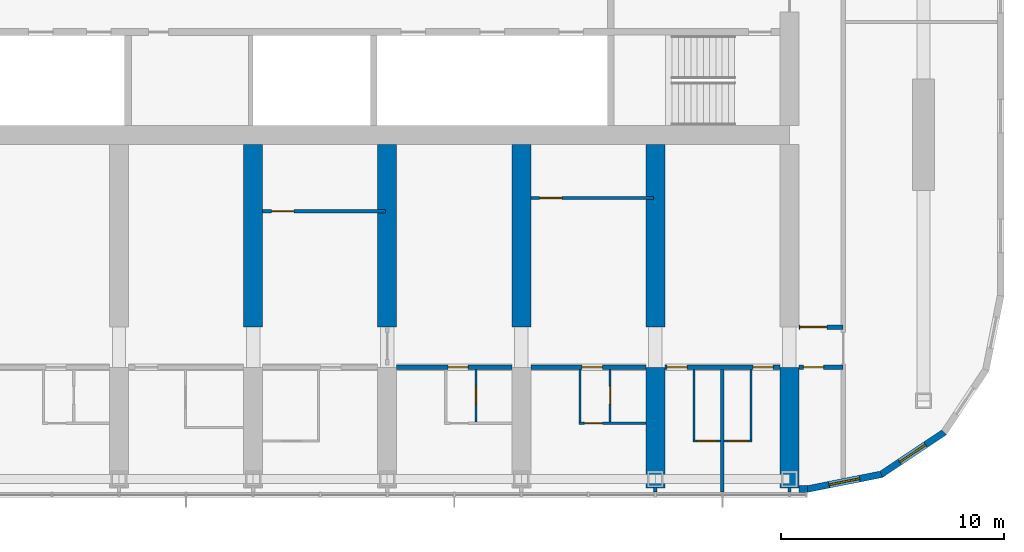
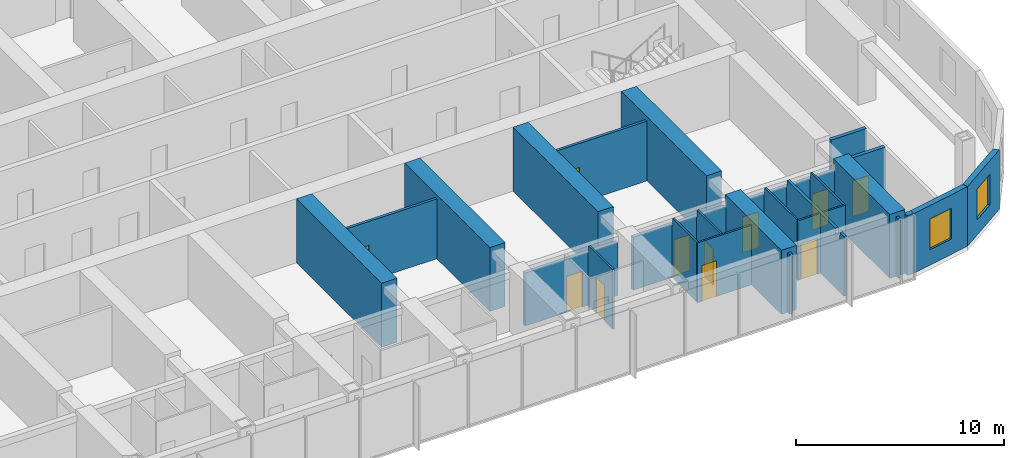
# One storey, part 12 of 22: 27 walls, 13 doors, 2 windows, 15 openings.
"""IFC4 building model written with IfcOpenShell, lengths in metres."""

from ifc_helpers import new_model, si_unit, direction, frame, frame_2d, origin, place, context, subcontext, project, spatial, polyline, rectangle, outline, extrude, material, layer, layer_set, type_object, element, fill, save


model = new_model("IFC4")

# Units and contexts
model_context = context("Model", 3, precision=1e-05, world=origin(), true_north=direction((0.0, 1.0)))
body_context = subcontext(model_context, "Body", "Model", "MODEL_VIEW")
ifc_project = project(units=[si_unit("LENGTHUNIT", "METRE"), si_unit("AREAUNIT", "SQUARE_METRE"), si_unit("VOLUMEUNIT", "CUBIC_METRE"), si_unit("PLANEANGLEUNIT", "RADIAN"), si_unit("MASSUNIT", "GRAM", prefix="KILO")], contexts=[model_context])

# Site, building, storey
site_placement = place(None, origin())
site = spatial("IfcSite", under=ifc_project, at=site_placement, CompositionType="ELEMENT")
building_placement = place(site_placement, origin())
building = spatial("IfcBuilding", under=site, at=building_placement, Name="Orbita Commons", CompositionType="ELEMENT")
storey_placement = place(building_placement, frame((0.0, 0.0, 182.35009765625)))
storey = spatial("IfcBuildingStorey", under=building, at=storey_placement, Name="L45", CompositionType="ELEMENT", Elevation=182.35009765625)

# Wall, opening, door
ifc_material_1 = material(Name="Concrete blockwork", Category="masonry")
ifc_layer_1 = layer(ifc_material_1, 0.199951171875)
ifc_layer_set_1 = layer_set([ifc_layer_1], Name="Concrete blockwork")
wall_type_1 = type_object("IfcWallType", Name="Corridor wall 200 blockwork", PredefinedType="SOLIDWALL", material=ifc_layer_set_1)
wall_1_placement = place(storey_placement, frame((48.425048828125, 15.39990234375, 0.0), z_axis=(0.0, 0.0, 1.0), x_axis=(1.0, 0.0, 0.0)))
wall_1 = element("IfcWall", 1, at=wall_1_placement, inside=storey, type_object=wall_type_1, Name="Corridor wall 200 blockwork L45", PredefinedType="SOLIDWALL", context=body_context, shape_type="SweptSolid", body=[
    extrude(outline(polyline([(0.0, 0.0), (5.14990234375, 0.0), (5.14990234375, 3.099853515625), (0.0, 3.099853515625), (0.0, 0.0)])), frame((0.0, 0.10009765625, 0.0), z_axis=(0.0, -1.0, 0.0), x_axis=(1.0, 0.0, 0.0)), (0.0, 0.0, 1.0), 0.199951171875),
])
opening_1_placement = place(wall_1_placement, frame((2.300048828125, 0.0, 0.0)))
opening_1 = element("IfcOpeningElement", 2, at=opening_1_placement, cuts=wall_1, Name="Opening D11", PredefinedType="OPENING", context=body_context, shape_type="SweptSolid", body=[
    extrude(rectangle(XDim=0.89990234375, YDim=2.10009765625, at=frame_2d((0.449951171875, 1.050048828125))), frame((0.0, 0.10986328125, 0.0), z_axis=(0.0, -1.0, 0.0), x_axis=(1.0, 0.0, 0.0)), (0.0, 0.0, 1.0), 0.219970703125),
])
ifc_material_2 = material(Name="Steel-faced fire door leaf", Category="steel")
door_type_1 = type_object("IfcDoorType", Name="Corridor door 20 min 900x2100", OperationType="SINGLE_SWING_LEFT", PredefinedType="DOOR", material=ifc_material_2)
door_1_placement = place(opening_1_placement, origin())
door_1 = element("IfcDoor", 3, at=door_1_placement, inside=storey, type_object=door_type_1, Name="Studio flat L45-S10 entrance door", OperationType="SINGLE_SWING_LEFT", OverallHeight=2.10009765625, OverallWidth=0.89990234375, PredefinedType="DOOR", context=body_context, shape_type="SweptSolid", body=[
    extrude(rectangle(XDim=0.89990234375, YDim=2.10009765625, at=frame_2d((0.449951171875, 1.050048828125))), frame((0.0, 0.02490234375, 0.0), z_axis=(0.0, -1.0, 0.0), x_axis=(1.0, 0.0, 0.0)), (0.0, 0.0, 1.0), 0.050048828125),
])
fill(opening_1, door_1)

wall_2_placement = place(storey_placement, frame((54.425048828125, 15.39990234375, 0.0), z_axis=(0.0, 0.0, 1.0), x_axis=(1.0, 0.0, 0.0)))
wall_2 = element("IfcWall", 4, at=wall_2_placement, inside=storey, type_object=wall_type_1, Name="Corridor wall 200 blockwork L45", PredefinedType="SOLIDWALL", context=body_context, shape_type="SweptSolid", body=[
    extrude(outline(polyline([(0.0, 0.0), (5.14990234375, 0.0), (5.14990234375, 3.099853515625), (0.0, 3.099853515625), (0.0, 0.0)])), frame((0.0, 0.10009765625, 0.0), z_axis=(0.0, -1.0, 0.0), x_axis=(1.0, 0.0, 0.0)), (0.0, 0.0, 1.0), 0.199951171875),
])
opening_2_placement = place(wall_2_placement, frame((2.300048828125, 0.0, 0.0)))
opening_2 = element("IfcOpeningElement", 5, at=opening_2_placement, cuts=wall_2, Name="Opening D11", PredefinedType="OPENING", context=body_context, shape_type="SweptSolid", body=[
    extrude(rectangle(XDim=0.89990234375, YDim=2.10009765625, at=frame_2d((0.449951171875, 1.050048828125))), frame((0.0, 0.10986328125, 0.0), z_axis=(0.0, -1.0, 0.0), x_axis=(1.0, 0.0, 0.0)), (0.0, 0.0, 1.0), 0.219970703125),
])
door_2_placement = place(opening_2_placement, origin())
door_2 = element("IfcDoor", 6, at=door_2_placement, inside=storey, type_object=door_type_1, Name="Studio flat L45-S12 entrance door", OperationType="SINGLE_SWING_LEFT", OverallHeight=2.10009765625, OverallWidth=0.89990234375, PredefinedType="DOOR", context=body_context, shape_type="SweptSolid", body=[
    extrude(rectangle(XDim=0.89990234375, YDim=2.10009765625, at=frame_2d((0.449951171875, 1.050048828125))), frame((0.0, 0.02490234375, 0.0), z_axis=(0.0, -1.0, 0.0), x_axis=(1.0, 0.0, 0.0)), (0.0, 0.0, 1.0), 0.050048828125),
])
fill(opening_2, door_2)

# Wall, openings, doors
wall_3_placement = place(storey_placement, frame((60.425048828125, 15.39990234375, 0.0), z_axis=(0.0, 0.0, 1.0), x_axis=(1.0, 0.0, 0.0)))
wall_3 = element("IfcWall", 7, at=wall_3_placement, inside=storey, type_object=wall_type_1, Name="Corridor wall 200 blockwork L45", PredefinedType="SOLIDWALL", context=body_context, shape_type="SweptSolid", body=[
    extrude(outline(polyline([(0.0, 0.0), (5.14990234375, 0.0), (5.14990234375, 3.099853515625), (0.0, 3.099853515625), (0.0, 0.0)])), frame((0.0, 0.10009765625, 0.0), z_axis=(0.0, -1.0, 0.0), x_axis=(1.0, 0.0, 0.0)), (0.0, 0.0, 1.0), 0.199951171875),
])
opening_3_placement = place(wall_3_placement, frame((0.10009765625, 0.0, 0.0)))
opening_3 = element("IfcOpeningElement", 8, at=opening_3_placement, cuts=wall_3, Name="Opening D11", PredefinedType="OPENING", context=body_context, shape_type="SweptSolid", body=[
    extrude(rectangle(XDim=0.89990234375, YDim=2.10009765625, at=frame_2d((0.449951171875, 1.050048828125))), frame((0.0, 0.10986328125, 0.0), z_axis=(0.0, -1.0, 0.0), x_axis=(1.0, 0.0, 0.0)), (0.0, 0.0, 1.0), 0.219970703125),
])
opening_4_placement = place(wall_3_placement, frame((3.949951171875, 0.0, 0.0)))
opening_4 = element("IfcOpeningElement", 9, at=opening_4_placement, cuts=wall_3, Name="Opening D11", PredefinedType="OPENING", context=body_context, shape_type="SweptSolid", body=[
    extrude(rectangle(XDim=0.89990234375, YDim=2.10009765625, at=frame_2d((0.449951171875, 1.050048828125))), frame((0.0, 0.10986328125, 0.0), z_axis=(0.0, -1.0, 0.0), x_axis=(1.0, 0.0, 0.0)), (0.0, 0.0, 1.0), 0.219970703125),
])
door_3_placement = place(opening_3_placement, origin())
door_3 = element("IfcDoor", 10, at=door_3_placement, inside=storey, type_object=door_type_1, Name="Cluster bedroom L45-S14 door", OperationType="SINGLE_SWING_LEFT", OverallHeight=2.10009765625, OverallWidth=0.89990234375, PredefinedType="DOOR", context=body_context, shape_type="SweptSolid", body=[
    extrude(rectangle(XDim=0.89990234375, YDim=2.10009765625, at=frame_2d((0.449951171875, 1.050048828125))), frame((0.0, 0.02490234375, 0.0), z_axis=(0.0, -1.0, 0.0), x_axis=(1.0, 0.0, 0.0)), (0.0, 0.0, 1.0), 0.050048828125),
])
fill(opening_3, door_3)
door_4_placement = place(opening_4_placement, origin())
door_4 = element("IfcDoor", 11, at=door_4_placement, inside=storey, type_object=door_type_1, Name="Cluster bedroom L45-S15 door", OperationType="SINGLE_SWING_LEFT", OverallHeight=2.10009765625, OverallWidth=0.89990234375, PredefinedType="DOOR", context=body_context, shape_type="SweptSolid", body=[
    extrude(rectangle(XDim=0.89990234375, YDim=2.10009765625, at=frame_2d((0.449951171875, 1.050048828125))), frame((0.0, 0.02490234375, 0.0), z_axis=(0.0, -1.0, 0.0), x_axis=(1.0, 0.0, 0.0)), (0.0, 0.0, 1.0), 0.050048828125),
])
fill(opening_4, door_4)

# Wall, opening, door
wall_4_placement = place(storey_placement, frame((66.425048828125, 15.39990234375, 0.0), z_axis=(0.0, 0.0, 1.0), x_axis=(1.0, 0.0, 0.0)))
wall_4 = element("IfcWall", 12, at=wall_4_placement, inside=storey, type_object=wall_type_1, Name="Corridor wall 200 blockwork L45", PredefinedType="SOLIDWALL", context=body_context, shape_type="SweptSolid", body=[
    extrude(rectangle(XDim=1.974853515625, YDim=0.199951171875, at=frame_2d((0.9873046875, 0.0))), origin(), (0.0, 0.0, 1.0), 3.5),
])
opening_5_placement = place(wall_4_placement, frame((0.199951171875, 0.0, 0.0)))
opening_5 = element("IfcOpeningElement", 13, at=opening_5_placement, cuts=wall_4, Name="Opening D05", PredefinedType="OPENING", context=body_context, shape_type="SweptSolid", body=[
    extrude(rectangle(XDim=0.89990234375, YDim=2.10009765625, at=frame_2d((0.449951171875, 1.050048828125))), frame((0.0, 0.10986328125, 0.0), z_axis=(0.0, -1.0, 0.0), x_axis=(1.0, 0.0, 0.0)), (0.0, 0.0, 1.0), 0.219970703125),
])
ifc_material_3 = material(Name="Steel-faced fire door leaf", Category="steel")
door_type_2 = type_object("IfcDoorType", Name="Service door 20 min 900x2100", OperationType="SINGLE_SWING_LEFT", PredefinedType="DOOR", material=ifc_material_3)
door_5_placement = place(opening_5_placement, origin())
door_5 = element("IfcDoor", 14, at=door_5_placement, inside=storey, type_object=door_type_2, Name="Linen store L45-KES door", OperationType="SINGLE_SWING_LEFT", OverallHeight=2.10009765625, OverallWidth=0.89990234375, PredefinedType="DOOR", context=body_context, shape_type="SweptSolid", body=[
    extrude(rectangle(XDim=0.89990234375, YDim=2.10009765625, at=frame_2d((0.449951171875, 1.050048828125))), frame((0.0, 0.02490234375, 0.0), z_axis=(0.0, -1.0, 0.0), x_axis=(1.0, 0.0, 0.0)), (0.0, 0.0, 1.0), 0.050048828125),
])
fill(opening_5, door_5)

ifc_material_4 = material(Name="Hollow concrete block 200", Category="concrete")
ifc_layer_2 = layer(ifc_material_4, 0.199951171875)
ifc_layer_set_2 = layer_set([ifc_layer_2], Name="Hollow concrete block 200")
wall_type_2 = type_object("IfcWallType", Name="Corridor wall 200 hollow concrete block", PredefinedType="SOLIDWALL", material=ifc_layer_set_2)
wall_5_placement = place(storey_placement, frame((66.425048828125, 17.199951171875, 0.0), z_axis=(0.0, 0.0, 1.0), x_axis=(1.0, 0.0, 0.0)))
wall_5 = element("IfcWall", 15, at=wall_5_placement, inside=storey, type_object=wall_type_2, Name="Corridor wall 200 hollow concrete block L45", PredefinedType="SOLIDWALL", context=body_context, shape_type="SweptSolid", body=[
    extrude(rectangle(XDim=1.974853515625, YDim=0.199951171875, at=frame_2d((0.9873046875, 0.0))), origin(), (0.0, 0.0, 1.0), 3.5),
])
opening_6_placement = place(wall_5_placement, frame((0.050048828125, 0.0, 0.0)))
opening_6 = element("IfcOpeningElement", 16, at=opening_6_placement, cuts=wall_5, Name="Opening D12", PredefinedType="OPENING", context=body_context, shape_type="SweptSolid", body=[
    extrude(rectangle(XDim=1.199951171875, YDim=2.10009765625, at=frame_2d((0.60009765625, 1.050048828125))), frame((0.0, 0.10986328125, 0.0), z_axis=(0.0, -1.0, 0.0), x_axis=(1.0, 0.0, 0.0)), (0.0, 0.0, 1.0), 0.219970703125),
])
ifc_material_5 = material(Name="Steel-faced fire door leaf", Category="steel")
door_type_3 = type_object("IfcDoorType", Name="Double corridor door 20 min 1200x2100", OperationType="DOUBLE_DOOR_SINGLE_SWING", PredefinedType="DOOR", material=ifc_material_5)
door_6_placement = place(opening_6_placement, origin())
door_6 = element("IfcDoor", 17, at=door_6_placement, inside=storey, type_object=door_type_3, Name="Cross corridor doors", OperationType="DOUBLE_DOOR_SINGLE_SWING", OverallHeight=2.10009765625, OverallWidth=1.199951171875, PredefinedType="DOOR", context=body_context, shape_type="SweptSolid", body=[
    extrude(rectangle(XDim=1.199951171875, YDim=2.10009765625, at=frame_2d((0.60009765625, 1.050048828125))), frame((0.0, 0.02490234375, 0.0), z_axis=(0.0, -1.0, 0.0), x_axis=(1.0, 0.0, 0.0)), (0.0, 0.0, 1.0), 0.050048828125),
])
fill(opening_6, door_6)

# Walls
ifc_material_6 = material(Name="Concrete C50/60", Category="concrete")
ifc_layer_3 = layer(ifc_material_6, 0.85009765625)
ifc_layer_set_3 = layer_set([ifc_layer_3], Name="Concrete C50/60")
wall_type_3 = type_object("IfcWallType", Name="Cross wall 850 C50/60", PredefinedType="SHEAR", material=ifc_layer_set_3)
for number, where, z_axis, x_axis, name in (
    (18, (42.0, 17.199951171875, 0.0), (0.0, 0.0, 1.0), (0.0, 1.0, 0.0), "Cross wall 8 south inner L45"),
    (19, (48.0, 17.199951171875, 0.0), (0.0, 0.0, 1.0), (0.0, 1.0, 0.0), "Cross wall 9 south inner L45"),
    (20, (54.0, 17.199951171875, 0.0), (0.0, 0.0, 1.0), (0.0, 1.0, 0.0), "Cross wall 10 south inner L45"),
):
    element("IfcWall", number, at=place(storey_placement, frame(where, z_axis=z_axis, x_axis=x_axis)), inside=storey, type_object=wall_type_3, Name=name, PredefinedType="SHEAR", context=body_context, shape_type="SweptSolid", body=[
        extrude(rectangle(XDim=8.175048828125, YDim=0.85009765625, at=frame_2d((4.08740234375, 0.0))), origin(), (0.0, 0.0, 1.0), 3.75),
    ])
wall_6_placement = place(storey_placement, frame((60.0, 10.0, 0.0), z_axis=(0.0, 0.0, 1.0), x_axis=(0.0, 1.0, 0.0)))
element("IfcWall", 21, at=wall_6_placement, inside=storey, type_object=wall_type_3, Name="Cross wall 11 south outer L45", PredefinedType="SHEAR", context=body_context, shape_type="SweptSolid", body=[
    extrude(rectangle(XDim=5.39990234375, YDim=0.85009765625, at=frame_2d((2.699951171875, 0.0))), origin(), (0.0, 0.0, 1.0), 3.75),
])
wall_7_placement = place(storey_placement, frame((60.0, 17.199951171875, 0.0), z_axis=(0.0, 0.0, 1.0), x_axis=(0.0, 1.0, 0.0)))
element("IfcWall", 22, at=wall_7_placement, inside=storey, type_object=wall_type_3, Name="Cross wall 11 south inner L45", PredefinedType="SHEAR", context=body_context, shape_type="SweptSolid", body=[
    extrude(rectangle(XDim=8.175048828125, YDim=0.85009765625, at=frame_2d((4.08740234375, 0.0))), origin(), (0.0, 0.0, 1.0), 3.75),
])
wall_8_placement = place(storey_placement, frame((66.0, 10.0, 0.0), z_axis=(0.0, 0.0, 1.0), x_axis=(0.0, 1.0, 0.0)))
element("IfcWall", 23, at=wall_8_placement, inside=storey, type_object=wall_type_3, Name="Cross wall 12 south outer L45", PredefinedType="SHEAR", context=body_context, shape_type="SweptSolid", body=[
    extrude(rectangle(XDim=5.39990234375, YDim=0.85009765625, at=frame_2d((2.699951171875, 0.0))), origin(), (0.0, 0.0, 1.0), 3.75),
])

# Wall, opening, door
ifc_material_7 = material(Name="Moisture-resistant plasterboard on steel studs", Category="steel")
ifc_layer_4 = layer(ifc_material_7, 0.10009765625)
ifc_layer_set_4 = layer_set([ifc_layer_4], Name="Moisture-resistant plasterboard on steel studs")
wall_type_4 = type_object("IfcWallType", Name="En-suite partition 100", PredefinedType="PARTITIONING", material=ifc_layer_set_4)
wall_9_placement = place(storey_placement, frame((51.97509765625, 12.949951171875, 0.0), z_axis=(0.0, 0.0, 1.0), x_axis=(0.0, 1.0, 0.0)))
wall_9 = element("IfcWall", 24, at=wall_9_placement, inside=storey, type_object=wall_type_4, Name="En-suite partition 100 L45", PredefinedType="PARTITIONING", context=body_context, shape_type="SweptSolid", body=[
    extrude(outline(polyline([(0.0, 0.0), (2.35009765625, 0.0), (2.35009765625, 3.099853515625), (2.302001953125, 3.099853515625), (2.300048828125, 3.5), (0.0, 3.5), (0.0, 0.0)])), frame((0.0, 0.050048828125, 0.0), z_axis=(0.0, -1.0, 0.0), x_axis=(1.0, 0.0, 0.0)), (0.0, 0.0, 1.0), 0.10009765625),
])
opening_7_placement = place(wall_9_placement, frame((0.800048828125, 0.0, 0.0)))
opening_7 = element("IfcOpeningElement", 25, at=opening_7_placement, cuts=wall_9, Name="Opening D16", PredefinedType="OPENING", context=body_context, shape_type="SweptSolid", body=[
    extrude(rectangle(XDim=0.800048828125, YDim=2.10009765625, at=frame_2d((0.39990234375, 1.050048828125))), frame((0.0, 0.06005859375, 0.0), z_axis=(0.0, -1.0, 0.0), x_axis=(1.0, 0.0, 0.0)), (0.0, 0.0, 1.0), 0.1201171875),
])
ifc_material_8 = material(Name="Laminated timber door leaf", Category="wood")
door_type_4 = type_object("IfcDoorType", Name="En-suite door 800x2100", OperationType="SINGLE_SWING_RIGHT", PredefinedType="DOOR", material=ifc_material_8)
door_7_placement = place(opening_7_placement, origin())
door_7 = element("IfcDoor", 26, at=door_7_placement, inside=storey, type_object=door_type_4, Name="Studio flat shower room L45-S10 door", OperationType="SINGLE_SWING_RIGHT", OverallHeight=2.10009765625, OverallWidth=0.800048828125, PredefinedType="DOOR", context=body_context, shape_type="SweptSolid", body=[
    extrude(rectangle(XDim=0.800048828125, YDim=2.10009765625, at=frame_2d((0.39990234375, 1.050048828125))), frame((0.0, 0.02490234375, 0.0), z_axis=(0.0, -1.0, 0.0), x_axis=(1.0, 0.0, 0.0)), (0.0, 0.0, 1.0), 0.050048828125),
])
fill(opening_7, door_7)

wall_10_placement = place(storey_placement, frame((59.574951171875, 12.89990234375, 0.0), z_axis=(0.0, 0.0, 1.0), x_axis=(-1.0, 0.0, 0.0)))
wall_10 = element("IfcWall", 27, at=wall_10_placement, inside=storey, type_object=wall_type_4, Name="En-suite partition 100 L45", PredefinedType="PARTITIONING", context=body_context, shape_type="SweptSolid", body=[
    extrude(rectangle(XDim=3.0, YDim=0.10009765625, at=frame_2d((1.5, 0.0))), origin(), (0.0, 0.0, 1.0), 3.5),
])
opening_8_placement = place(wall_10_placement, frame((1.949951171875, 0.0, 0.0)))
opening_8 = element("IfcOpeningElement", 28, at=opening_8_placement, cuts=wall_10, Name="Opening D16", PredefinedType="OPENING", context=body_context, shape_type="SweptSolid", body=[
    extrude(rectangle(XDim=0.800048828125, YDim=2.10009765625, at=frame_2d((0.39990234375, 1.050048828125))), frame((0.0, 0.06005859375, 0.0), z_axis=(0.0, -1.0, 0.0), x_axis=(1.0, 0.0, 0.0)), (0.0, 0.0, 1.0), 0.1201171875),
])
door_8_placement = place(opening_8_placement, origin())
door_8 = element("IfcDoor", 29, at=door_8_placement, inside=storey, type_object=door_type_4, Name="Studio flat L45-S12 door", OperationType="SINGLE_SWING_RIGHT", OverallHeight=2.10009765625, OverallWidth=0.800048828125, PredefinedType="DOOR", context=body_context, shape_type="SweptSolid", body=[
    extrude(rectangle(XDim=0.800048828125, YDim=2.10009765625, at=frame_2d((0.39990234375, 1.050048828125))), frame((0.0, 0.02490234375, 0.0), z_axis=(0.0, -1.0, 0.0), x_axis=(1.0, 0.0, 0.0)), (0.0, 0.0, 1.0), 0.050048828125),
])
fill(opening_8, door_8)

# Wall
wall_11_placement = place(storey_placement, frame((56.625, 12.949951171875, 0.0), z_axis=(0.0, 0.0, 1.0), x_axis=(0.0, 1.0, 0.0)))
element("IfcWall", 30, at=wall_11_placement, inside=storey, type_object=wall_type_4, Name="En-suite partition 100 L45", PredefinedType="PARTITIONING", context=body_context, shape_type="SweptSolid", body=[
    extrude(outline(polyline([(0.0, 0.0), (2.35009765625, 0.0), (2.35009765625, 3.099853515625), (2.302001953125, 3.099853515625), (2.300048828125, 3.5), (0.0, 3.5), (0.0, 0.0)])), frame((0.0, 0.050048828125, 0.0), z_axis=(0.0, -1.0, 0.0), x_axis=(1.0, 0.0, 0.0)), (0.0, 0.0, 1.0), 0.10009765625),
])

# Wall, opening, door
wall_12_placement = place(storey_placement, frame((57.97509765625, 12.949951171875, 0.0), z_axis=(0.0, 0.0, 1.0), x_axis=(0.0, 1.0, 0.0)))
wall_12 = element("IfcWall", 31, at=wall_12_placement, inside=storey, type_object=wall_type_4, Name="En-suite partition 100 L45", PredefinedType="PARTITIONING", context=body_context, shape_type="SweptSolid", body=[
    extrude(outline(polyline([(0.0, 0.0), (2.35009765625, 0.0), (2.35009765625, 3.099853515625), (2.302001953125, 3.099853515625), (2.300048828125, 3.5), (0.0, 3.5), (0.0, 0.0)])), frame((0.0, 0.050048828125, 0.0), z_axis=(0.0, -1.0, 0.0), x_axis=(1.0, 0.0, 0.0)), (0.0, 0.0, 1.0), 0.10009765625),
])
opening_9_placement = place(wall_12_placement, frame((0.800048828125, 0.0, 0.0)))
opening_9 = element("IfcOpeningElement", 32, at=opening_9_placement, cuts=wall_12, Name="Opening D16", PredefinedType="OPENING", context=body_context, shape_type="SweptSolid", body=[
    extrude(rectangle(XDim=0.800048828125, YDim=2.10009765625, at=frame_2d((0.39990234375, 1.050048828125))), frame((0.0, 0.06005859375, 0.0), z_axis=(0.0, -1.0, 0.0), x_axis=(1.0, 0.0, 0.0)), (0.0, 0.0, 1.0), 0.1201171875),
])
door_9_placement = place(opening_9_placement, origin())
door_9 = element("IfcDoor", 33, at=door_9_placement, inside=storey, type_object=door_type_4, Name="Studio flat shower room L45-S12 door", OperationType="SINGLE_SWING_RIGHT", OverallHeight=2.10009765625, OverallWidth=0.800048828125, PredefinedType="DOOR", context=body_context, shape_type="SweptSolid", body=[
    extrude(rectangle(XDim=0.800048828125, YDim=2.10009765625, at=frame_2d((0.39990234375, 1.050048828125))), frame((0.0, 0.02490234375, 0.0), z_axis=(0.0, -1.0, 0.0), x_axis=(1.0, 0.0, 0.0)), (0.0, 0.0, 1.0), 0.050048828125),
])
fill(opening_9, door_9)

wall_13_placement = place(storey_placement, frame((62.925048828125, 12.10009765625, 0.0), z_axis=(0.0, 0.0, 1.0), x_axis=(-1.0, 0.0, 0.0)))
wall_13 = element("IfcWall", 34, at=wall_13_placement, inside=storey, type_object=wall_type_4, Name="En-suite partition 100 L45", PredefinedType="PARTITIONING", context=body_context, shape_type="SweptSolid", body=[
    extrude(rectangle(XDim=1.25, YDim=0.10009765625, at=frame_2d((0.625, 0.0))), origin(), (0.0, 0.0, 1.0), 3.5),
])
opening_10_placement = place(wall_13_placement, frame((0.175048828125, 0.0, 0.0)))
opening_10 = element("IfcOpeningElement", 35, at=opening_10_placement, cuts=wall_13, Name="Opening D09", PredefinedType="OPENING", context=body_context, shape_type="SweptSolid", body=[
    extrude(rectangle(XDim=0.89990234375, YDim=2.10009765625, at=frame_2d((0.449951171875, 1.050048828125))), frame((0.0, 0.06005859375, 0.0), z_axis=(0.0, -1.0, 0.0), x_axis=(1.0, 0.0, 0.0)), (0.0, 0.0, 1.0), 0.1201171875),
])
ifc_material_9 = material(Name="Laminated timber door leaf", Category="wood")
door_type_5 = type_object("IfcDoorType", Name="En-suite door 900x2100", OperationType="SINGLE_SWING_RIGHT", PredefinedType="DOOR", material=ifc_material_9)
door_10_placement = place(opening_10_placement, origin())
door_10 = element("IfcDoor", 36, at=door_10_placement, inside=storey, type_object=door_type_5, Name="En-suite L45-S14 door", OperationType="SINGLE_SWING_RIGHT", OverallHeight=2.10009765625, OverallWidth=0.89990234375, PredefinedType="DOOR", context=body_context, shape_type="SweptSolid", body=[
    extrude(rectangle(XDim=0.89990234375, YDim=2.10009765625, at=frame_2d((0.449951171875, 1.050048828125))), frame((0.0, 0.02490234375, 0.0), z_axis=(0.0, -1.0, 0.0), x_axis=(1.0, 0.0, 0.0)), (0.0, 0.0, 1.0), 0.050048828125),
])
fill(opening_10, door_10)

# Wall
wall_14_placement = place(storey_placement, frame((61.72509765625, 12.14990234375, 0.0), z_axis=(0.0, 0.0, 1.0), x_axis=(0.0, 1.0, 0.0)))
element("IfcWall", 37, at=wall_14_placement, inside=storey, type_object=wall_type_4, Name="En-suite partition 100 L45", PredefinedType="PARTITIONING", context=body_context, shape_type="SweptSolid", body=[
    extrude(outline(polyline([(0.0, 0.0), (3.150146484375, 0.0), (3.14990234375, 3.099853515625), (3.10205078125, 3.099853515625), (3.10009765625, 3.5), (0.0, 3.5), (0.0, 0.0)])), frame((0.0, 0.050048828125, 0.0), z_axis=(0.0, -1.0, 0.0), x_axis=(1.0, 0.0, 0.0)), (0.0, 0.0, 1.0), 0.10009765625),
])

# Wall, opening, door
wall_15_placement = place(storey_placement, frame((64.324951171875, 12.10009765625, 0.0), z_axis=(0.0, 0.0, 1.0), x_axis=(-1.0, 0.0, 0.0)))
wall_15 = element("IfcWall", 38, at=wall_15_placement, inside=storey, type_object=wall_type_4, Name="En-suite partition 100 L45", PredefinedType="PARTITIONING", context=body_context, shape_type="SweptSolid", body=[
    extrude(rectangle(XDim=1.25, YDim=0.10009765625, at=frame_2d((0.625, 0.0))), origin(), (0.0, 0.0, 1.0), 3.5),
])
opening_11_placement = place(wall_15_placement, frame((0.175048828125, 0.0, 0.0)))
opening_11 = element("IfcOpeningElement", 39, at=opening_11_placement, cuts=wall_15, Name="Opening D09", PredefinedType="OPENING", context=body_context, shape_type="SweptSolid", body=[
    extrude(rectangle(XDim=0.89990234375, YDim=2.10009765625, at=frame_2d((0.449951171875, 1.050048828125))), frame((0.0, 0.06005859375, 0.0), z_axis=(0.0, -1.0, 0.0), x_axis=(1.0, 0.0, 0.0)), (0.0, 0.0, 1.0), 0.1201171875),
])
door_11_placement = place(opening_11_placement, origin())
door_11 = element("IfcDoor", 40, at=door_11_placement, inside=storey, type_object=door_type_5, Name="En-suite L45-S15 door", OperationType="SINGLE_SWING_RIGHT", OverallHeight=2.10009765625, OverallWidth=0.89990234375, PredefinedType="DOOR", context=body_context, shape_type="SweptSolid", body=[
    extrude(rectangle(XDim=0.89990234375, YDim=2.10009765625, at=frame_2d((0.449951171875, 1.050048828125))), frame((0.0, 0.02490234375, 0.0), z_axis=(0.0, -1.0, 0.0), x_axis=(1.0, 0.0, 0.0)), (0.0, 0.0, 1.0), 0.050048828125),
])
fill(opening_11, door_11)

# Wall
wall_16_placement = place(storey_placement, frame((64.27490234375, 12.14990234375, 0.0), z_axis=(0.0, 0.0, 1.0), x_axis=(0.0, 1.0, 0.0)))
element("IfcWall", 41, at=wall_16_placement, inside=storey, type_object=wall_type_4, Name="En-suite partition 100 L45", PredefinedType="PARTITIONING", context=body_context, shape_type="SweptSolid", body=[
    extrude(outline(polyline([(0.0, 0.0), (3.150146484375, 0.0), (3.14990234375, 3.099853515625), (3.10205078125, 3.099853515625), (3.10009765625, 3.5), (0.0, 3.5), (0.0, 0.0)])), frame((0.0, 0.050048828125, 0.0), z_axis=(0.0, -1.0, 0.0), x_axis=(1.0, 0.0, 0.0)), (0.0, 0.0, 1.0), 0.10009765625),
])

# Wall, opening, door
ifc_material_10 = material(Name="Gypsum plasterboard on steel studs", Category="steel")
ifc_layer_5 = layer(ifc_material_10, 0.14990234375)
ifc_layer_set_5 = layer_set([ifc_layer_5], Name="Gypsum plasterboard on steel studs")
wall_type_5 = type_object("IfcWallType", Name="Partition 150 plasterboard", PredefinedType="PARTITIONING", material=ifc_layer_set_5)
wall_17_placement = place(storey_placement, frame((42.425048828125, 22.375, 0.0), z_axis=(0.0, 0.0, 1.0), x_axis=(1.0, 0.0, 0.0)))
wall_17 = element("IfcWall", 42, at=wall_17_placement, inside=storey, type_object=wall_type_5, Name="Partition 150 plasterboard L45", PredefinedType="PARTITIONING", context=body_context, shape_type="SweptSolid", body=[
    extrude(rectangle(XDim=5.5, YDim=0.14990234375, at=frame_2d((2.75, 0.0))), origin(), (0.0, 0.0, 1.0), 3.5),
])
opening_12_placement = place(wall_17_placement, frame((0.39990234375, 0.0, 0.0)))
opening_12 = element("IfcOpeningElement", 43, at=opening_12_placement, cuts=wall_17, Name="Opening D18", PredefinedType="OPENING", context=body_context, shape_type="SweptSolid", body=[
    extrude(rectangle(XDim=1.0, YDim=2.10009765625, at=frame_2d((0.5, 1.050048828125))), frame((0.0, 0.0849609375, 0.0), z_axis=(0.0, -1.0, 0.0), x_axis=(1.0, 0.0, 0.0)), (0.0, 0.0, 1.0), 0.169921875),
])
ifc_material_11 = material(Name="Steel-faced fire door leaf", Category="steel")
door_type_6 = type_object("IfcDoorType", Name="Service door 20 min 1000x2100", OperationType="SINGLE_SWING_LEFT", PredefinedType="DOOR", material=ifc_material_11)
door_12_placement = place(opening_12_placement, origin())
door_12 = element("IfcDoor", 44, at=door_12_placement, inside=storey, type_object=door_type_6, Name="Refuse and recycling room L45-BDS42 door", OperationType="SINGLE_SWING_LEFT", OverallHeight=2.10009765625, OverallWidth=1.0, PredefinedType="DOOR", context=body_context, shape_type="SweptSolid", body=[
    extrude(rectangle(XDim=1.0, YDim=2.10009765625, at=frame_2d((0.5, 1.050048828125))), frame((0.0, 0.02490234375, 0.0), z_axis=(0.0, -1.0, 0.0), x_axis=(1.0, 0.0, 0.0)), (0.0, 0.0, 1.0), 0.050048828125),
])
fill(opening_12, door_12)

wall_18_placement = place(storey_placement, frame((54.425048828125, 22.97509765625, 0.0), z_axis=(0.0, 0.0, 1.0), x_axis=(1.0, 0.0, 0.0)))
wall_18 = element("IfcWall", 45, at=wall_18_placement, inside=storey, type_object=wall_type_5, Name="Partition 150 plasterboard L45", PredefinedType="PARTITIONING", context=body_context, shape_type="SweptSolid", body=[
    extrude(rectangle(XDim=5.5, YDim=0.14990234375, at=frame_2d((2.75, 0.0))), origin(), (0.0, 0.0, 1.0), 3.5),
])
opening_13_placement = place(wall_18_placement, frame((0.39990234375, 0.0, 0.0)))
opening_13 = element("IfcOpeningElement", 46, at=opening_13_placement, cuts=wall_18, Name="Opening D18", PredefinedType="OPENING", context=body_context, shape_type="SweptSolid", body=[
    extrude(rectangle(XDim=1.0, YDim=2.10009765625, at=frame_2d((0.5, 1.050048828125))), frame((0.0, 0.0849609375, 0.0), z_axis=(0.0, -1.0, 0.0), x_axis=(1.0, 0.0, 0.0)), (0.0, 0.0, 1.0), 0.169921875),
])
door_13_placement = place(opening_13_placement, origin())
door_13 = element("IfcDoor", 47, at=door_13_placement, inside=storey, type_object=door_type_6, Name="Cleaners store L45-BDS54 door", OperationType="SINGLE_SWING_LEFT", OverallHeight=2.10009765625, OverallWidth=1.0, PredefinedType="DOOR", context=body_context, shape_type="SweptSolid", body=[
    extrude(rectangle(XDim=1.0, YDim=2.10009765625, at=frame_2d((0.5, 1.050048828125))), frame((0.0, 0.02490234375, 0.0), z_axis=(0.0, -1.0, 0.0), x_axis=(1.0, 0.0, 0.0)), (0.0, 0.0, 1.0), 0.050048828125),
])
fill(opening_13, door_13)

# Walls
for number, where, z_axis, x_axis, name in (
    (48, (60.0, 10.050048828125, 0.0), (0.0, 0.0, 1.0), (0.0, -1.0, 0.0), "Partition 150 plasterboard L45"),
    (49, (66.0, 10.050048828125, 0.0), (0.0, 0.0, 1.0), (0.0, -1.0, 0.0), "Partition 150 plasterboard L45"),
):
    element("IfcWall", number, at=place(storey_placement, frame(where, z_axis=z_axis, x_axis=x_axis)), inside=storey, type_object=wall_type_5, Name=name, PredefinedType="PARTITIONING", context=body_context, shape_type="SweptSolid", body=[
        extrude(rectangle(XDim=0.239990234375, YDim=0.14990234375, at=frame_2d((0.1201171875, 0.0))), origin(), (0.0, 0.0, 1.0), 3.5),
    ])
ifc_material_12 = material(Name="Gypsum plasterboard on steel studs", Category="steel")
ifc_layer_6 = layer(ifc_material_12, 0.14990234375)
ifc_layer_set_6 = layer_set([ifc_layer_6], Name="Gypsum plasterboard on steel studs")
wall_type_6 = type_object("IfcWallType", Name="Party wall 150 plasterboard", PredefinedType="PARTITIONING", material=ifc_layer_set_6)
wall_19_placement = place(storey_placement, frame((63.0, 9.81005859375, 0.0), z_axis=(0.0, 0.0, 1.0), x_axis=(0.0, 1.0, 0.0)))
element("IfcWall", 50, at=wall_19_placement, inside=storey, type_object=wall_type_6, Name="Party wall 150 plasterboard L45", PredefinedType="PARTITIONING", context=body_context, shape_type="SweptSolid", body=[
    extrude(outline(polyline([(0.0, 0.0), (5.489990234375, 0.0), (5.489990234375, 3.099853515625), (5.44189453125, 3.099853515625), (5.43994140625, 3.5), (0.7919921875, 3.5), (0.7900390625, 3.099853515625), (0.39208984375, 3.099853515625), (0.389892578125, 3.5), (0.0, 3.5), (0.0, 0.0)])), frame((0.0, 0.074951171875, 0.0), z_axis=(0.0, -1.0, 0.0), x_axis=(1.0, 0.0, 0.0)), (0.0, 0.0, 1.0), 0.14990234375),
])

# Wall, opening, window
ifc_material_13 = material(Name="Precast concrete C40/50, white board-marked finish", Category="concrete")
ifc_layer_7 = layer(ifc_material_13, 0.300048828125)
ifc_layer_set_7 = layer_set([ifc_layer_7], Name="Precast concrete C40/50, white board-marked finish")
wall_type_7 = type_object("IfcWallType", Name="Precast concrete end shield 300", PredefinedType="SOLIDWALL", material=ifc_layer_set_7)
wall_20_placement = place(storey_placement, frame((66.800048828125, 9.949951171875, 0.0), z_axis=(0.0, 0.0, 1.0), x_axis=(0.98078325777, 0.195100490205, 0.0)))
wall_20 = element("IfcWall", 51, at=wall_20_placement, inside=storey, type_object=wall_type_7, Name="End shield SE chord 1 L45", PredefinedType="SOLIDWALL", context=body_context, shape_type="SweptSolid", body=[
    extrude(outline(polyline([(-0.02978515625, -0.14990234375), (3.40478515625, -0.14990234375), (3.34521484375, 0.14990234375), (0.02978515625, 0.14990234375), (-0.02978515625, -0.14990234375)])), origin(), (0.0, 0.0, 1.0), 3.5),
])
opening_14_placement = place(wall_20_placement, frame((0.987548828125, 0.0, 0.89990234375)))
opening_14 = element("IfcOpeningElement", 52, at=opening_14_placement, cuts=wall_20, Name="Opening W02", PredefinedType="OPENING", context=body_context, shape_type="SweptSolid", body=[
    extrude(rectangle(XDim=1.39990234375, YDim=1.800048828125, at=frame_2d((0.699951171875, 0.89990234375))), frame((0.0, 0.159912109375, 0.0), z_axis=(0.0, -1.0, 0.0), x_axis=(1.0, 0.0, 0.0)), (0.0, 0.0, 1.0), 0.320068359375),
])
ifc_material_14 = material(Name="Aluminium frame, clear double glazing", Category="aluminium")
window_type = type_object("IfcWindowType", Name="Deep-set window 1400x1800", PartitioningType="SINGLE_PANEL", PredefinedType="WINDOW", material=ifc_material_14)
window_1_placement = place(opening_14_placement, origin())
window_1 = element("IfcWindow", 53, at=window_1_placement, inside=storey, type_object=window_type, Name="Window L45-SE0", OverallHeight=1.800048828125, OverallWidth=1.39990234375, PartitioningType="SINGLE_PANEL", PredefinedType="WINDOW", context=body_context, shape_type="SweptSolid", body=[
    extrude(rectangle(XDim=1.39990234375, YDim=1.800048828125, at=frame_2d((0.699951171875, 0.89990234375))), frame((0.0, 0.030029296875, 0.0), z_axis=(0.0, -1.0, 0.0), x_axis=(1.0, 0.0, 0.0)), (0.0, 0.0, 1.0), 0.06005859375),
])
fill(opening_14, window_1)

wall_21_placement = place(storey_placement, frame((70.110107421875, 10.6083984375, 0.0), z_axis=(0.0, 0.0, 1.0), x_axis=(0.831493450887, 0.555534554399, 0.0)))
wall_21 = element("IfcWall", 54, at=wall_21_placement, inside=storey, type_object=wall_type_7, Name="End shield SE chord 2 L45", PredefinedType="SOLIDWALL", context=body_context, shape_type="SweptSolid", body=[
    extrude(outline(polyline([(-0.02978515625, -0.14990234375), (3.405029296875, -0.14990234375), (3.345458984375, 0.14990234375), (0.02978515625, 0.14990234375), (-0.02978515625, -0.14990234375)])), origin(), (0.0, 0.0, 1.0), 3.5),
])
opening_15_placement = place(wall_21_placement, frame((0.987548828125, 0.0, 0.89990234375)))
opening_15 = element("IfcOpeningElement", 55, at=opening_15_placement, cuts=wall_21, Name="Opening W02", PredefinedType="OPENING", context=body_context, shape_type="SweptSolid", body=[
    extrude(rectangle(XDim=1.39990234375, YDim=1.800048828125, at=frame_2d((0.699951171875, 0.89990234375))), frame((0.0, 0.159912109375, 0.0), z_axis=(0.0, -1.0, 0.0), x_axis=(1.0, 0.0, 0.0)), (0.0, 0.0, 1.0), 0.320068359375),
])
window_2_placement = place(opening_15_placement, origin())
window_2 = element("IfcWindow", 56, at=window_2_placement, inside=storey, type_object=window_type, Name="Window L45-SE1", OverallHeight=1.800048828125, OverallWidth=1.39990234375, PartitioningType="SINGLE_PANEL", PredefinedType="WINDOW", context=body_context, shape_type="SweptSolid", body=[
    extrude(rectangle(XDim=1.39990234375, YDim=1.800048828125, at=frame_2d((0.699951171875, 0.89990234375))), frame((0.0, 0.030029296875, 0.0), z_axis=(0.0, -1.0, 0.0), x_axis=(1.0, 0.0, 0.0)), (0.0, 0.0, 1.0), 0.06005859375),
])
fill(opening_15, window_2)

# Wall
wall_22_placement = place(storey_placement, frame((66.800048828125, 9.949951171875, 0.0), z_axis=(0.0, 0.0, 1.0), x_axis=(-1.0, 0.0, 0.0)))
element("IfcWall", 57, at=wall_22_placement, inside=storey, type_object=wall_type_7, Name="End shield SE closer L45", PredefinedType="SOLIDWALL", context=body_context, shape_type="SweptSolid", body=[
    extrude(rectangle(XDim=0.375, YDim=0.300048828125, at=frame_2d((0.1875, 0.0))), origin(), (0.0, 0.0, 1.0), 3.5),
])

save(model, "model.ifc")
